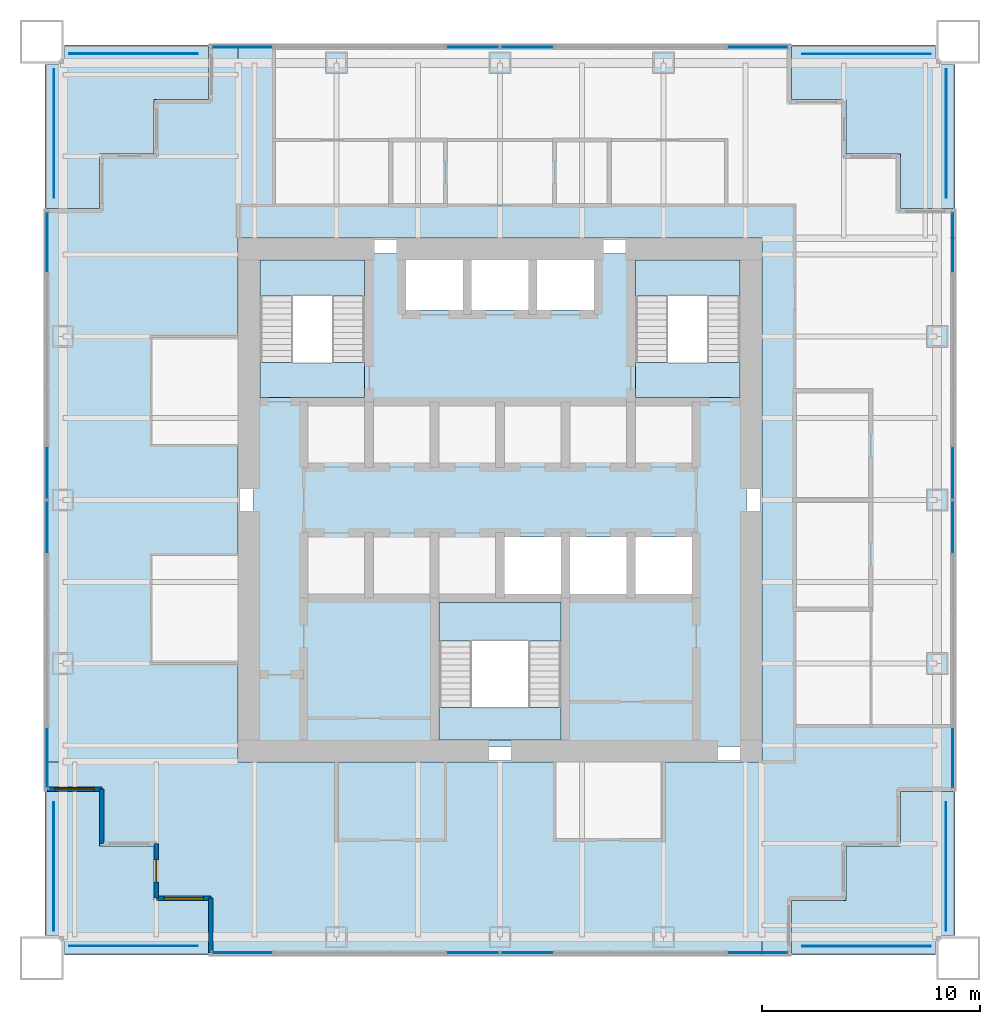
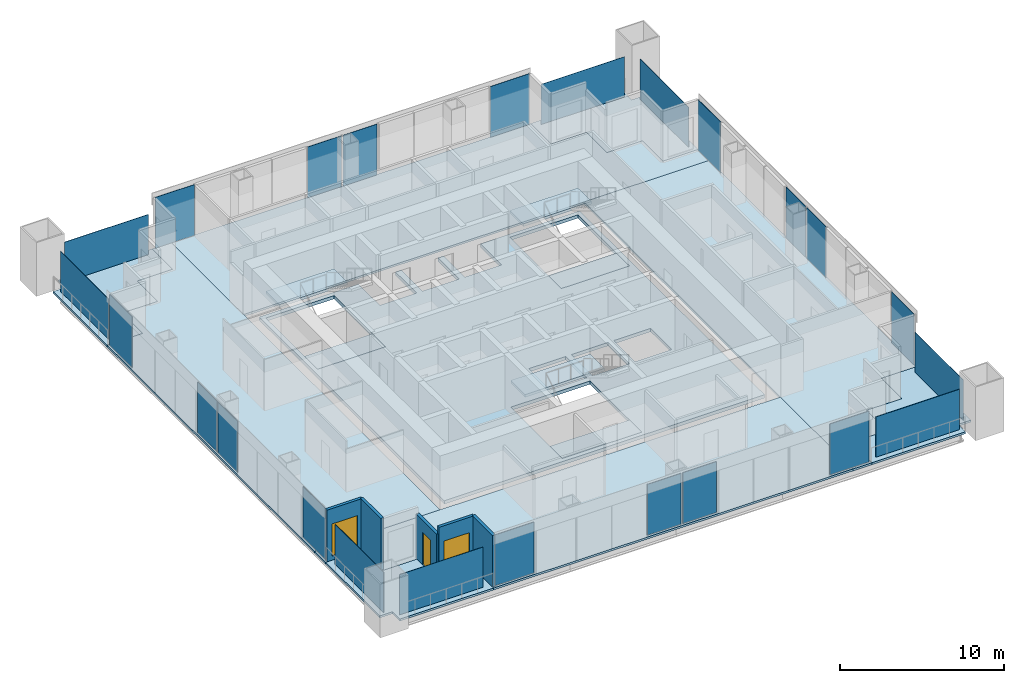
# One storey, part 8 of 14: 24 plates, 15 slabs, 5 walls, 2 windows, 1 door, 3 openings, 19 elements without a shape of their own.
"""IFC4 building model written with IfcOpenShell, lengths in metres."""

from ifc_helpers import new_model, si_unit, direction, frame, frame_2d, origin, origin_2d, place, context, subcontext, project, spatial, polyline, rectangle, outline, extrude, material, layer, layer_set, type_object, element, fill, aggregate, save


model = new_model("IFC4")

# Units and contexts
model_context = context("Model", 3, precision=1e-05, world=origin(), true_north=direction((0.0, 1.0)))
body_context = subcontext(model_context, "Body", "Model", "MODEL_VIEW")
ifc_project = project(units=[si_unit("LENGTHUNIT", "METRE"), si_unit("AREAUNIT", "SQUARE_METRE"), si_unit("VOLUMEUNIT", "CUBIC_METRE"), si_unit("PLANEANGLEUNIT", "RADIAN"), si_unit("MASSUNIT", "GRAM", prefix="KILO")], contexts=[model_context])

# Site, building, storey
site_placement = place(None, origin())
site = spatial("IfcSite", under=ifc_project, at=site_placement, CompositionType="ELEMENT")
building_placement = place(site_placement, origin())
building = spatial("IfcBuilding", under=site, at=building_placement, Name="Tarangal Relay Tower", CompositionType="ELEMENT")
storey_placement = place(building_placement, frame((0.0, 0.0, 319.89990234375)))
storey = spatial("IfcBuildingStorey", under=building, at=storey_placement, Name="L71", CompositionType="ELEMENT", Elevation=319.89990234375)

# Slabs
ifc_material_1 = material(Name="Concrete fc' 35 MPa", Category="concrete")
ifc_layer_1 = layer(ifc_material_1, 0.25)
ifc_layer_set_1 = layer_set([ifc_layer_1], Name="Core floor slab 250")
slab_type_1 = type_object("IfcSlabType", Name="Core floor slab 250", PredefinedType="FLOOR", material=ifc_layer_set_1)
slab_1_placement = place(storey_placement, frame((0.0, 0.0, -0.25)))
element("IfcSlab", 1, at=slab_1_placement, inside=storey, type_object=slab_type_1, Name="Core floor slab L71", PredefinedType="FLOOR", context=body_context, shape_type="SweptSolid", body=[
    extrude(outline(polyline([(11.300048828125, 11.300048828125), (11.300048828125, -11.300048828125), (-11.300048828125, -11.300048828125), (-11.300048828125, 11.300048828125), (-4.300048828125, 11.300048828125), (-4.300048828125, 8.699951171875), (-1.699951171875, 8.699951171875), (-1.699951171875, 11.300048828125), (-1.300048828125, 11.300048828125), (-1.300048828125, 8.699951171875), (1.300048828125, 8.699951171875), (1.300048828125, 11.300048828125), (1.699951171875, 11.300048828125), (1.699951171875, 8.699951171875), (4.300048828125, 8.699951171875), (4.300048828125, 11.300048828125), (11.300048828125, 11.300048828125)]), holes=[polyline([(2.800048828125, -4.699951171875), (-2.800048828125, -4.699951171875), (-2.800048828125, -11.0), (2.800048828125, -11.0), (2.800048828125, -4.699951171875)]), polyline([(2.800048828125, -1.699951171875), (0.199951171875, -1.699951171875), (0.199951171875, -4.300048828125), (2.800048828125, -4.300048828125), (2.800048828125, -1.699951171875)]), polyline([(5.800048828125, -1.699951171875), (3.199951171875, -1.699951171875), (3.199951171875, -4.300048828125), (5.800048828125, -4.300048828125), (5.800048828125, -1.699951171875)]), polyline([(8.800048828125, -1.699951171875), (6.199951171875, -1.699951171875), (6.199951171875, -4.300048828125), (8.800048828125, -4.300048828125), (8.800048828125, -1.699951171875)]), polyline([(-6.199951171875, 11.0), (-11.0, 11.0), (-11.0, 4.699951171875), (-6.199951171875, 4.699951171875), (-6.199951171875, 11.0)]), polyline([(11.0, 11.0), (6.199951171875, 11.0), (6.199951171875, 4.699951171875), (11.0, 4.699951171875), (11.0, 11.0)])]), origin(), (0.0, 0.0, 1.0), 0.25),
])
ifc_layer_2 = layer(ifc_material_1, 0.14990234375)
ifc_layer_set_2 = layer_set([ifc_layer_2], Name="Floor slab 150")
slab_type_2 = type_object("IfcSlabType", Name="Floor slab 150", PredefinedType="FLOOR", material=ifc_layer_set_2)
slab_2_placement = place(storey_placement, frame((0.0, 0.0, -0.14990234375)))
element("IfcSlab", 2, at=slab_2_placement, inside=storey, type_object=slab_type_2, Name="Floor slab FS3 L71 north bay", PredefinedType="FLOOR", context=body_context, shape_type="SweptSolid", body=[
    extrude(outline(polyline([(13.35009765625, 20.85009765625), (13.35009765625, 18.35009765625), (15.85009765625, 18.35009765625), (15.85009765625, 15.85009765625), (18.35009765625, 15.85009765625), (18.35009765625, 13.35009765625), (20.85009765625, 13.35009765625), (20.85009765625, 12.0), (-12.0, 12.0), (-12.0, 20.85009765625), (13.35009765625, 20.85009765625)])), origin(), (0.0, 0.0, 1.0), 0.14990234375),
])
slab_3_placement = place(storey_placement, frame((0.0, 0.0, -0.14990234375)))
element("IfcSlab", 3, at=slab_3_placement, inside=storey, type_object=slab_type_2, Name="Floor slab FS3 L71 east bay", PredefinedType="FLOOR", context=body_context, shape_type="SweptSolid", body=[
    extrude(outline(polyline([(20.85009765625, -13.35009765625), (18.35009765625, -13.35009765625), (18.35009765625, -15.85009765625), (15.85009765625, -15.85009765625), (15.85009765625, -18.35009765625), (13.35009765625, -18.35009765625), (13.35009765625, -20.85009765625), (12.0, -20.85009765625), (12.0, 12.0), (20.85009765625, 12.0), (20.85009765625, -13.35009765625)])), origin(), (0.0, 0.0, 1.0), 0.14990234375),
])
slab_4_placement = place(storey_placement, frame((0.0, 0.0, -0.14990234375)))
element("IfcSlab", 4, at=slab_4_placement, inside=storey, type_object=slab_type_2, Name="Floor slab FS3 L71 south bay", PredefinedType="FLOOR", context=body_context, shape_type="SweptSolid", body=[
    extrude(outline(polyline([(-13.35009765625, -20.85009765625), (-13.35009765625, -18.35009765625), (-15.85009765625, -18.35009765625), (-15.85009765625, -15.85009765625), (-18.35009765625, -15.85009765625), (-18.35009765625, -13.35009765625), (-20.85009765625, -13.35009765625), (-20.85009765625, -12.0), (12.0, -12.0), (12.0, -20.85009765625), (-13.35009765625, -20.85009765625)])), origin(), (0.0, 0.0, 1.0), 0.14990234375),
])
slab_5_placement = place(storey_placement, frame((0.0, 0.0, -0.14990234375)))
element("IfcSlab", 5, at=slab_5_placement, inside=storey, type_object=slab_type_2, Name="Floor slab FS3 L71 west bay", PredefinedType="FLOOR", context=body_context, shape_type="SweptSolid", body=[
    extrude(outline(polyline([(-12.0, 20.85009765625), (-12.0, -12.0), (-20.85009765625, -12.0), (-20.85009765625, 13.35009765625), (-18.35009765625, 13.35009765625), (-18.35009765625, 15.85009765625), (-15.85009765625, 15.85009765625), (-15.85009765625, 18.35009765625), (-13.35009765625, 18.35009765625), (-13.35009765625, 20.85009765625), (-12.0, 20.85009765625)])), origin(), (0.0, 0.0, 1.0), 0.14990234375),
])

# Curtain wall, plate
ifc_material_2 = material(Name="Unitised curtain wall, dark glass and black aluminium", Category="aluminium")
curtain_wall_type = type_object("IfcCurtainWallType", Name="Curtain wall CW-B", PredefinedType="USERDEFINED", material=ifc_material_2)
curtain_wall_1_placement = place(storey_placement, origin())
curtain_wall_1 = element("IfcCurtainWall", 6, at=curtain_wall_1_placement, inside=storey, type_object=curtain_wall_type, Name="Curtain wall CW-B N facade L71", ObjectType="UNITISED CURTAIN WALL", PredefinedType="USERDEFINED")
ifc_material_3 = material(Name="Dark tinted insulated glass unit", Category="glass")
ifc_layer_3 = layer(ifc_material_3, 0.030029296875)
ifc_layer_set_3 = layer_set([ifc_layer_3], Name="Glazed panel CW-B 30")
plate_type_1 = type_object("IfcPlateType", Name="Glazed panel CW-B 30", PredefinedType="CURTAIN_PANEL", material=ifc_layer_set_3)
plate_1_placement = place(storey_placement, frame((-11.8125, 20.75, 0.06005859375), z_axis=(0.0, 0.0, 1.0), x_axis=(1.0, 0.0, 0.0)))
plate_1 = element("IfcPlate", 7, at=plate_1_placement, type_object=plate_type_1, Name="CW-B panel 1.1", PredefinedType="CURTAIN_PANEL", context=body_context, shape_type="SweptSolid", body=[
    extrude(rectangle(XDim=2.7548828125, YDim=0.030029296875, at=origin_2d()), origin(), (0.0, 0.0, 1.0), 3.7900390625),
])
aggregate(curtain_wall_1, [plate_1])

curtain_wall_2_placement = place(storey_placement, origin())
curtain_wall_2 = element("IfcCurtainWall", 8, at=curtain_wall_2_placement, inside=storey, type_object=curtain_wall_type, Name="Curtain wall CW-B N facade L71", ObjectType="UNITISED CURTAIN WALL", PredefinedType="USERDEFINED")
plate_2_placement = place(storey_placement, frame((-1.25, 20.75, 0.06005859375), z_axis=(0.0, 0.0, 1.0), x_axis=(1.0, 0.0, 0.0)))
plate_2 = element("IfcPlate", 9, at=plate_2_placement, type_object=plate_type_1, Name="CW-B panel 1.1", PredefinedType="CURTAIN_PANEL", context=body_context, shape_type="SweptSolid", body=[
    extrude(rectangle(XDim=2.3798828125, YDim=0.030029296875, at=origin_2d()), origin(), (0.0, 0.0, 1.0), 3.7900390625),
])
aggregate(curtain_wall_2, [plate_2])

curtain_wall_3_placement = place(storey_placement, origin())
curtain_wall_3 = element("IfcCurtainWall", 10, at=curtain_wall_3_placement, inside=storey, type_object=curtain_wall_type, Name="Curtain wall CW-B N facade L71", ObjectType="UNITISED CURTAIN WALL", PredefinedType="USERDEFINED")
plate_3_placement = place(storey_placement, frame((1.25, 20.75, 0.06005859375), z_axis=(0.0, 0.0, 1.0), x_axis=(1.0, 0.0, 0.0)))
plate_3 = element("IfcPlate", 11, at=plate_3_placement, type_object=plate_type_1, Name="CW-B panel 1.1", PredefinedType="CURTAIN_PANEL", context=body_context, shape_type="SweptSolid", body=[
    extrude(rectangle(XDim=2.3798828125, YDim=0.030029296875, at=origin_2d()), origin(), (0.0, 0.0, 1.0), 3.7900390625),
])
aggregate(curtain_wall_3, [plate_3])

curtain_wall_4_placement = place(storey_placement, origin())
curtain_wall_4 = element("IfcCurtainWall", 12, at=curtain_wall_4_placement, inside=storey, type_object=curtain_wall_type, Name="Curtain wall CW-B N facade L71", ObjectType="UNITISED CURTAIN WALL", PredefinedType="USERDEFINED")
plate_4_placement = place(storey_placement, frame((11.8125, 20.75, 0.06005859375), z_axis=(0.0, 0.0, 1.0), x_axis=(1.0, 0.0, 0.0)))
plate_4 = element("IfcPlate", 13, at=plate_4_placement, type_object=plate_type_1, Name="CW-B panel 1.1", PredefinedType="CURTAIN_PANEL", context=body_context, shape_type="SweptSolid", body=[
    extrude(rectangle(XDim=2.7548828125, YDim=0.030029296875, at=origin_2d()), origin(), (0.0, 0.0, 1.0), 3.7900390625),
])
aggregate(curtain_wall_4, [plate_4])

curtain_wall_5_placement = place(storey_placement, origin())
curtain_wall_5 = element("IfcCurtainWall", 14, at=curtain_wall_5_placement, inside=storey, type_object=curtain_wall_type, Name="Curtain wall CW-B E facade L71", ObjectType="UNITISED CURTAIN WALL", PredefinedType="USERDEFINED")
plate_5_placement = place(storey_placement, frame((20.75, 11.8125, 0.06005859375), z_axis=(0.0, 0.0, 1.0), x_axis=(0.0, -1.0, 0.0)))
plate_5 = element("IfcPlate", 15, at=plate_5_placement, type_object=plate_type_1, Name="CW-B panel 1.1", PredefinedType="CURTAIN_PANEL", context=body_context, shape_type="SweptSolid", body=[
    extrude(rectangle(XDim=2.7548828125, YDim=0.030029296875, at=origin_2d()), origin(), (0.0, 0.0, 1.0), 3.7900390625),
])
aggregate(curtain_wall_5, [plate_5])

curtain_wall_6_placement = place(storey_placement, origin())
curtain_wall_6 = element("IfcCurtainWall", 16, at=curtain_wall_6_placement, inside=storey, type_object=curtain_wall_type, Name="Curtain wall CW-B E facade L71", ObjectType="UNITISED CURTAIN WALL", PredefinedType="USERDEFINED")
plate_6_placement = place(storey_placement, frame((20.75, 1.25, 0.06005859375), z_axis=(0.0, 0.0, 1.0), x_axis=(0.0, -1.0, 0.0)))
plate_6 = element("IfcPlate", 17, at=plate_6_placement, type_object=plate_type_1, Name="CW-B panel 1.1", PredefinedType="CURTAIN_PANEL", context=body_context, shape_type="SweptSolid", body=[
    extrude(rectangle(XDim=2.3798828125, YDim=0.030029296875, at=origin_2d()), origin(), (0.0, 0.0, 1.0), 3.7900390625),
])
aggregate(curtain_wall_6, [plate_6])

curtain_wall_7_placement = place(storey_placement, origin())
curtain_wall_7 = element("IfcCurtainWall", 18, at=curtain_wall_7_placement, inside=storey, type_object=curtain_wall_type, Name="Curtain wall CW-B E facade L71", ObjectType="UNITISED CURTAIN WALL", PredefinedType="USERDEFINED")
plate_7_placement = place(storey_placement, frame((20.75, -1.25, 0.06005859375), z_axis=(0.0, 0.0, 1.0), x_axis=(0.0, -1.0, 0.0)))
plate_7 = element("IfcPlate", 19, at=plate_7_placement, type_object=plate_type_1, Name="CW-B panel 1.1", PredefinedType="CURTAIN_PANEL", context=body_context, shape_type="SweptSolid", body=[
    extrude(rectangle(XDim=2.3798828125, YDim=0.030029296875, at=origin_2d()), origin(), (0.0, 0.0, 1.0), 3.7900390625),
])
aggregate(curtain_wall_7, [plate_7])

curtain_wall_8_placement = place(storey_placement, origin())
curtain_wall_8 = element("IfcCurtainWall", 20, at=curtain_wall_8_placement, inside=storey, type_object=curtain_wall_type, Name="Curtain wall CW-B E facade L71", ObjectType="UNITISED CURTAIN WALL", PredefinedType="USERDEFINED")
plate_8_placement = place(storey_placement, frame((20.75, -11.8125, 0.06005859375), z_axis=(0.0, 0.0, 1.0), x_axis=(0.0, -1.0, 0.0)))
plate_8 = element("IfcPlate", 21, at=plate_8_placement, type_object=plate_type_1, Name="CW-B panel 1.1", PredefinedType="CURTAIN_PANEL", context=body_context, shape_type="SweptSolid", body=[
    extrude(rectangle(XDim=2.7548828125, YDim=0.030029296875, at=origin_2d()), origin(), (0.0, 0.0, 1.0), 3.7900390625),
])
aggregate(curtain_wall_8, [plate_8])

curtain_wall_9_placement = place(storey_placement, origin())
curtain_wall_9 = element("IfcCurtainWall", 22, at=curtain_wall_9_placement, inside=storey, type_object=curtain_wall_type, Name="Curtain wall CW-B S facade L71", ObjectType="UNITISED CURTAIN WALL", PredefinedType="USERDEFINED")
plate_9_placement = place(storey_placement, frame((11.8125, -20.75, 0.06005859375), z_axis=(0.0, 0.0, 1.0), x_axis=(-1.0, 0.0, 0.0)))
plate_9 = element("IfcPlate", 23, at=plate_9_placement, type_object=plate_type_1, Name="CW-B panel 1.1", PredefinedType="CURTAIN_PANEL", context=body_context, shape_type="SweptSolid", body=[
    extrude(rectangle(XDim=2.7548828125, YDim=0.030029296875, at=origin_2d()), origin(), (0.0, 0.0, 1.0), 3.7900390625),
])
aggregate(curtain_wall_9, [plate_9])

curtain_wall_10_placement = place(storey_placement, origin())
curtain_wall_10 = element("IfcCurtainWall", 24, at=curtain_wall_10_placement, inside=storey, type_object=curtain_wall_type, Name="Curtain wall CW-B S facade L71", ObjectType="UNITISED CURTAIN WALL", PredefinedType="USERDEFINED")
plate_10_placement = place(storey_placement, frame((1.25, -20.75, 0.06005859375), z_axis=(0.0, 0.0, 1.0), x_axis=(-1.0, 0.0, 0.0)))
plate_10 = element("IfcPlate", 25, at=plate_10_placement, type_object=plate_type_1, Name="CW-B panel 1.1", PredefinedType="CURTAIN_PANEL", context=body_context, shape_type="SweptSolid", body=[
    extrude(rectangle(XDim=2.3798828125, YDim=0.030029296875, at=origin_2d()), origin(), (0.0, 0.0, 1.0), 3.7900390625),
])
aggregate(curtain_wall_10, [plate_10])

curtain_wall_11_placement = place(storey_placement, origin())
curtain_wall_11 = element("IfcCurtainWall", 26, at=curtain_wall_11_placement, inside=storey, type_object=curtain_wall_type, Name="Curtain wall CW-B S facade L71", ObjectType="UNITISED CURTAIN WALL", PredefinedType="USERDEFINED")
plate_11_placement = place(storey_placement, frame((-1.25, -20.75, 0.06005859375), z_axis=(0.0, 0.0, 1.0), x_axis=(-1.0, 0.0, 0.0)))
plate_11 = element("IfcPlate", 27, at=plate_11_placement, type_object=plate_type_1, Name="CW-B panel 1.1", PredefinedType="CURTAIN_PANEL", context=body_context, shape_type="SweptSolid", body=[
    extrude(rectangle(XDim=2.3798828125, YDim=0.030029296875, at=origin_2d()), origin(), (0.0, 0.0, 1.0), 3.7900390625),
])
aggregate(curtain_wall_11, [plate_11])

curtain_wall_12_placement = place(storey_placement, origin())
curtain_wall_12 = element("IfcCurtainWall", 28, at=curtain_wall_12_placement, inside=storey, type_object=curtain_wall_type, Name="Curtain wall CW-B S facade L71", ObjectType="UNITISED CURTAIN WALL", PredefinedType="USERDEFINED")
plate_12_placement = place(storey_placement, frame((-11.8125, -20.75, 0.06005859375), z_axis=(0.0, 0.0, 1.0), x_axis=(-1.0, 0.0, 0.0)))
plate_12 = element("IfcPlate", 29, at=plate_12_placement, type_object=plate_type_1, Name="CW-B panel 1.1", PredefinedType="CURTAIN_PANEL", context=body_context, shape_type="SweptSolid", body=[
    extrude(rectangle(XDim=2.7548828125, YDim=0.030029296875, at=origin_2d()), origin(), (0.0, 0.0, 1.0), 3.7900390625),
])
aggregate(curtain_wall_12, [plate_12])

curtain_wall_13_placement = place(storey_placement, origin())
curtain_wall_13 = element("IfcCurtainWall", 30, at=curtain_wall_13_placement, inside=storey, type_object=curtain_wall_type, Name="Curtain wall CW-B W facade L71", ObjectType="UNITISED CURTAIN WALL", PredefinedType="USERDEFINED")
plate_13_placement = place(storey_placement, frame((-20.75, -11.8125, 0.06005859375), z_axis=(0.0, 0.0, 1.0), x_axis=(0.0, 1.0, 0.0)))
plate_13 = element("IfcPlate", 31, at=plate_13_placement, type_object=plate_type_1, Name="CW-B panel 1.1", PredefinedType="CURTAIN_PANEL", context=body_context, shape_type="SweptSolid", body=[
    extrude(rectangle(XDim=2.7548828125, YDim=0.030029296875, at=origin_2d()), origin(), (0.0, 0.0, 1.0), 3.7900390625),
])
aggregate(curtain_wall_13, [plate_13])

curtain_wall_14_placement = place(storey_placement, origin())
curtain_wall_14 = element("IfcCurtainWall", 32, at=curtain_wall_14_placement, inside=storey, type_object=curtain_wall_type, Name="Curtain wall CW-B W facade L71", ObjectType="UNITISED CURTAIN WALL", PredefinedType="USERDEFINED")
plate_14_placement = place(storey_placement, frame((-20.75, -1.25, 0.06005859375), z_axis=(0.0, 0.0, 1.0), x_axis=(0.0, 1.0, 0.0)))
plate_14 = element("IfcPlate", 33, at=plate_14_placement, type_object=plate_type_1, Name="CW-B panel 1.1", PredefinedType="CURTAIN_PANEL", context=body_context, shape_type="SweptSolid", body=[
    extrude(rectangle(XDim=2.3798828125, YDim=0.030029296875, at=origin_2d()), origin(), (0.0, 0.0, 1.0), 3.7900390625),
])
aggregate(curtain_wall_14, [plate_14])

curtain_wall_15_placement = place(storey_placement, origin())
curtain_wall_15 = element("IfcCurtainWall", 34, at=curtain_wall_15_placement, inside=storey, type_object=curtain_wall_type, Name="Curtain wall CW-B W facade L71", ObjectType="UNITISED CURTAIN WALL", PredefinedType="USERDEFINED")
plate_15_placement = place(storey_placement, frame((-20.75, 1.25, 0.06005859375), z_axis=(0.0, 0.0, 1.0), x_axis=(0.0, 1.0, 0.0)))
plate_15 = element("IfcPlate", 35, at=plate_15_placement, type_object=plate_type_1, Name="CW-B panel 1.1", PredefinedType="CURTAIN_PANEL", context=body_context, shape_type="SweptSolid", body=[
    extrude(rectangle(XDim=2.3798828125, YDim=0.030029296875, at=origin_2d()), origin(), (0.0, 0.0, 1.0), 3.7900390625),
])
aggregate(curtain_wall_15, [plate_15])

curtain_wall_16_placement = place(storey_placement, origin())
curtain_wall_16 = element("IfcCurtainWall", 36, at=curtain_wall_16_placement, inside=storey, type_object=curtain_wall_type, Name="Curtain wall CW-B W facade L71", ObjectType="UNITISED CURTAIN WALL", PredefinedType="USERDEFINED")
plate_16_placement = place(storey_placement, frame((-20.75, 11.8125, 0.06005859375), z_axis=(0.0, 0.0, 1.0), x_axis=(0.0, 1.0, 0.0)))
plate_16 = element("IfcPlate", 37, at=plate_16_placement, type_object=plate_type_1, Name="CW-B panel 1.1", PredefinedType="CURTAIN_PANEL", context=body_context, shape_type="SweptSolid", body=[
    extrude(rectangle(XDim=2.7548828125, YDim=0.030029296875, at=origin_2d()), origin(), (0.0, 0.0, 1.0), 3.7900390625),
])
aggregate(curtain_wall_16, [plate_16])

# Plates
ifc_material_4 = material(Name="Black stainless steel cable trellis with climbing planting", Category="steel")
ifc_layer_4 = layer(ifc_material_4, 0.030029296875)
ifc_layer_set_4 = layer_set([ifc_layer_4], Name="Planted trellis screen")
plate_type_2 = type_object("IfcPlateType", Name="Planted trellis screen", PredefinedType="SHEET", material=ifc_layer_set_4)
for number, where, z_axis, x_axis, name in (
    (38, (20.449951171875, 16.800048828125, 0.0), (0.0, 0.0, 1.0), (0.0, -1.0, 0.0), "Planted trellis SC2 NE L71"),
    (39, (16.800048828125, -20.449951171875, 0.0), (0.0, 0.0, 1.0), (-1.0, 0.0, 0.0), "Planted trellis SC2 SE L71"),
    (40, (-20.449951171875, -16.800048828125, 0.0), (0.0, 0.0, 1.0), (0.0, 1.0, 0.0), "Planted trellis SC2 SW L71"),
    (41, (-16.800048828125, 20.449951171875, 0.0), (0.0, 0.0, 1.0), (1.0, 0.0, 0.0), "Planted trellis SC2 NW L71"),
):
    element("IfcPlate", number, at=place(storey_placement, frame(where, z_axis=z_axis, x_axis=x_axis)), inside=storey, type_object=plate_type_2, Name=name, PredefinedType="SHEET", context=body_context, shape_type="SweptSolid", body=[
        extrude(rectangle(XDim=5.89990234375, YDim=0.030029296875, at=origin_2d()), origin(), (0.0, 0.0, 1.0), 3.0),
    ])

# Stair, slabs
ifc_material_5 = material(Name="Steel ASTM A992 stair flight", Category="steel")
stair_type = type_object("IfcStairType", Name="Core stair 1500", PredefinedType="HALF_TURN_STAIR", material=ifc_material_5)
stair_1_placement = place(storey_placement, origin())
stair_1 = element("IfcStair", 42, at=stair_1_placement, inside=storey, type_object=stair_type, Name="Stair ST-A L71", PredefinedType="HALF_TURN_STAIR")
ifc_layer_5 = layer(ifc_material_1, 0.199951171875)
ifc_layer_set_5 = layer_set([ifc_layer_5], Name="Stair landing 200")
slab_type_3 = type_object("IfcSlabType", Name="Stair landing 200", PredefinedType="LANDING", material=ifc_layer_set_5)
slab_6_placement = place(storey_placement, frame((0.0, 0.0, -0.199951171875)))
slab_6 = element("IfcSlab", 43, at=slab_6_placement, type_object=slab_type_3, Name="ST-A landing 1", PredefinedType="LANDING", context=body_context, shape_type="SweptSolid", body=[
    extrude(outline(polyline([(-11.0, 4.699951171875), (-6.199951171875, 4.699951171875), (-6.199951171875, 6.300048828125), (-11.0, 6.300048828125), (-11.0, 4.699951171875)])), origin(), (0.0, 0.0, 1.0), 0.199951171875),
])
slab_7_placement = place(storey_placement, frame((0.0, 0.0, 1.800048828125)))
slab_7 = element("IfcSlab", 44, at=slab_7_placement, type_object=slab_type_3, Name="ST-A landing 2", PredefinedType="LANDING", context=body_context, shape_type="SweptSolid", body=[
    extrude(outline(polyline([(-11.0, 9.346923828125), (-6.199951171875, 9.346923828125), (-6.199951171875, 11.0), (-11.0, 11.0), (-11.0, 9.346923828125)])), origin(), (0.0, 0.0, 1.0), 0.199951171875),
])
aggregate(stair_1, [slab_6, slab_7])

stair_2_placement = place(storey_placement, origin())
stair_2 = element("IfcStair", 45, at=stair_2_placement, inside=storey, type_object=stair_type, Name="Stair ST-B L71", PredefinedType="HALF_TURN_STAIR")
slab_8_placement = place(storey_placement, frame((0.0, 0.0, -0.199951171875)))
slab_8 = element("IfcSlab", 46, at=slab_8_placement, type_object=slab_type_3, Name="ST-B landing 1", PredefinedType="LANDING", context=body_context, shape_type="SweptSolid", body=[
    extrude(outline(polyline([(6.199951171875, 4.699951171875), (11.0, 4.699951171875), (11.0, 6.300048828125), (6.199951171875, 6.300048828125), (6.199951171875, 4.699951171875)])), origin(), (0.0, 0.0, 1.0), 0.199951171875),
])
slab_9_placement = place(storey_placement, frame((0.0, 0.0, 1.800048828125)))
slab_9 = element("IfcSlab", 47, at=slab_9_placement, type_object=slab_type_3, Name="ST-B landing 2", PredefinedType="LANDING", context=body_context, shape_type="SweptSolid", body=[
    extrude(outline(polyline([(6.199951171875, 9.346923828125), (11.0, 9.346923828125), (11.0, 11.0), (6.199951171875, 11.0), (6.199951171875, 9.346923828125)])), origin(), (0.0, 0.0, 1.0), 0.199951171875),
])
aggregate(stair_2, [slab_8, slab_9])

stair_3_placement = place(storey_placement, origin())
stair_3 = element("IfcStair", 48, at=stair_3_placement, inside=storey, type_object=stair_type, Name="Stair ST-C L71", PredefinedType="HALF_TURN_STAIR")
slab_10_placement = place(storey_placement, frame((0.0, 0.0, -0.199951171875)))
slab_10 = element("IfcSlab", 49, at=slab_10_placement, type_object=slab_type_3, Name="ST-C landing 1", PredefinedType="LANDING", context=body_context, shape_type="SweptSolid", body=[
    extrude(outline(polyline([(-2.800048828125, -11.0), (2.800048828125, -11.0), (2.800048828125, -9.5), (-2.800048828125, -9.5), (-2.800048828125, -11.0)])), origin(), (0.0, 0.0, 1.0), 0.199951171875),
])
slab_11_placement = place(storey_placement, frame((0.0, 0.0, 1.800048828125)))
slab_11 = element("IfcSlab", 50, at=slab_11_placement, type_object=slab_type_3, Name="ST-C landing 2", PredefinedType="LANDING", context=body_context, shape_type="SweptSolid", body=[
    extrude(outline(polyline([(-2.800048828125, -6.452880859375), (2.800048828125, -6.452880859375), (2.800048828125, -4.699951171875), (-2.800048828125, -4.699951171875), (-2.800048828125, -6.452880859375)])), origin(), (0.0, 0.0, 1.0), 0.199951171875),
])
aggregate(stair_3, [slab_10, slab_11])

# Plates
ifc_material_6 = material(Name="Perforated black aluminium screen", Category="aluminium")
ifc_layer_6 = layer(ifc_material_6, 0.02001953125)
ifc_layer_set_6 = layer_set([ifc_layer_6], Name="Terrace screen panel")
plate_type_3 = type_object("IfcPlateType", Name="Terrace screen panel", PredefinedType="SHEET", material=ifc_layer_set_6)
for number, where, z_axis, x_axis, name in (
    (51, (16.800048828125, 20.449951171875, 0.0), (0.0, 0.0, 1.0), (1.0, 0.0, 0.0), "Terrace screen SC1 NE L71"),
    (52, (20.449951171875, -16.800048828125, 0.0), (0.0, 0.0, 1.0), (0.0, -1.0, 0.0), "Terrace screen SC1 SE L71"),
    (53, (-16.800048828125, -20.449951171875, 0.0), (0.0, 0.0, 1.0), (-1.0, 0.0, 0.0), "Terrace screen SC1 SW L71"),
    (54, (-20.449951171875, 16.800048828125, 0.0), (0.0, 0.0, 1.0), (0.0, 1.0, 0.0), "Terrace screen SC1 NW L71"),
):
    element("IfcPlate", number, at=place(storey_placement, frame(where, z_axis=z_axis, x_axis=x_axis)), inside=storey, type_object=plate_type_3, Name=name, PredefinedType="SHEET", context=body_context, shape_type="SweptSolid", body=[
        extrude(rectangle(XDim=5.89990234375, YDim=0.02001953125, at=origin_2d()), origin(), (0.0, 0.0, 1.0), 3.0),
    ])

# Slabs
ifc_layer_7 = layer(ifc_material_1, 0.14990234375)
ifc_layer_set_7 = layer_set([ifc_layer_7], Name="Terrace slab 150")
slab_type_4 = type_object("IfcSlabType", Name="Terrace slab 150", PredefinedType="FLOOR", material=ifc_layer_set_7)
slab_12_placement = place(storey_placement, frame((0.0, 0.0, -0.14990234375)))
element("IfcSlab", 55, at=slab_12_placement, inside=storey, type_object=slab_type_4, Name="Corner terrace NE L71", PredefinedType="FLOOR", context=body_context, shape_type="SweptSolid", body=[
    extrude(outline(polyline([(13.35009765625, 20.85009765625), (13.35009765625, 18.35009765625), (15.85009765625, 18.35009765625), (15.85009765625, 15.85009765625), (18.35009765625, 15.85009765625), (18.35009765625, 13.35009765625), (20.85009765625, 13.35009765625), (20.85009765625, 19.949951171875), (19.949951171875, 19.949951171875), (19.949951171875, 20.85009765625), (13.35009765625, 20.85009765625)])), origin(), (0.0, 0.0, 1.0), 0.14990234375),
])
slab_13_placement = place(storey_placement, frame((0.0, 0.0, -0.14990234375)))
element("IfcSlab", 56, at=slab_13_placement, inside=storey, type_object=slab_type_4, Name="Corner terrace SE L71", PredefinedType="FLOOR", context=body_context, shape_type="SweptSolid", body=[
    extrude(outline(polyline([(20.85009765625, -13.35009765625), (18.35009765625, -13.35009765625), (18.35009765625, -15.85009765625), (15.85009765625, -15.85009765625), (15.85009765625, -18.35009765625), (13.35009765625, -18.35009765625), (13.35009765625, -20.85009765625), (19.949951171875, -20.85009765625), (19.949951171875, -19.949951171875), (20.85009765625, -19.949951171875), (20.85009765625, -13.35009765625)])), origin(), (0.0, 0.0, 1.0), 0.14990234375),
])
slab_14_placement = place(storey_placement, frame((0.0, 0.0, -0.14990234375)))
element("IfcSlab", 57, at=slab_14_placement, inside=storey, type_object=slab_type_4, Name="Corner terrace SW L71", PredefinedType="FLOOR", context=body_context, shape_type="SweptSolid", body=[
    extrude(outline(polyline([(-13.35009765625, -20.85009765625), (-13.35009765625, -18.35009765625), (-15.85009765625, -18.35009765625), (-15.85009765625, -15.85009765625), (-18.35009765625, -15.85009765625), (-18.35009765625, -13.35009765625), (-20.85009765625, -13.35009765625), (-20.85009765625, -19.949951171875), (-19.949951171875, -19.949951171875), (-19.949951171875, -20.85009765625), (-13.35009765625, -20.85009765625)])), origin(), (0.0, 0.0, 1.0), 0.14990234375),
])
slab_15_placement = place(storey_placement, frame((0.0, 0.0, -0.14990234375)))
element("IfcSlab", 58, at=slab_15_placement, inside=storey, type_object=slab_type_4, Name="Corner terrace NW L71", PredefinedType="FLOOR", context=body_context, shape_type="SweptSolid", body=[
    extrude(outline(polyline([(-20.85009765625, 13.35009765625), (-18.35009765625, 13.35009765625), (-18.35009765625, 15.85009765625), (-15.85009765625, 15.85009765625), (-15.85009765625, 18.35009765625), (-13.35009765625, 18.35009765625), (-13.35009765625, 20.85009765625), (-19.949951171875, 20.85009765625), (-19.949951171875, 19.949951171875), (-20.85009765625, 19.949951171875), (-20.85009765625, 13.35009765625)])), origin(), (0.0, 0.0, 1.0), 0.14990234375),
])

# Wall
ifc_material_7 = material(Name="Black metal clad insulated wall", Category="steel")
ifc_layer_8 = layer(ifc_material_7, 0.199951171875)
ifc_layer_set_8 = layer_set([ifc_layer_8], Name="Corner wall metal clad 200")
wall_type = type_object("IfcWallType", Name="Corner wall metal clad 200", PredefinedType="SOLIDWALL", material=ifc_layer_set_8)
wall_1_placement = place(storey_placement, frame((-13.25, -20.75, 0.0), z_axis=(0.0, 0.0, 1.0), x_axis=(0.0, 1.0, 0.0)))
element("IfcWall", 59, at=wall_1_placement, inside=storey, type_object=wall_type, Name="Facade wall S facade L71", PredefinedType="SOLIDWALL", context=body_context, shape_type="SweptSolid", body=[
    extrude(rectangle(XDim=2.5, YDim=0.199951171875, at=frame_2d((1.25, 0.0))), origin(), (0.0, 0.0, 1.0), 3.85009765625),
])

# Wall, opening, window
wall_2_placement = place(storey_placement, frame((-13.25, -18.25, 0.0), z_axis=(0.0, 0.0, 1.0), x_axis=(-1.0, 0.0, 0.0)))
wall_2 = element("IfcWall", 60, at=wall_2_placement, inside=storey, type_object=wall_type, Name="Facade wall S facade L71", PredefinedType="SOLIDWALL", context=body_context, shape_type="SweptSolid", body=[
    extrude(rectangle(XDim=2.5, YDim=0.199951171875, at=frame_2d((1.25, 0.0))), origin(), (0.0, 0.0, 1.0), 3.85009765625),
])
opening_1_placement = place(wall_2_placement, frame((0.35009765625, 0.0, 0.300048828125)))
opening_1 = element("IfcOpeningElement", 61, at=opening_1_placement, cuts=wall_2, Name="Opening WN2", PredefinedType="OPENING", context=body_context, shape_type="SweptSolid", body=[
    extrude(rectangle(XDim=1.800048828125, YDim=2.39990234375, at=frame_2d((0.89990234375, 1.199951171875))), frame((0.0, 0.10986328125, 0.0), z_axis=(0.0, -1.0, 0.0), x_axis=(1.0, 0.0, 0.0)), (0.0, 0.0, 1.0), 0.219970703125),
])
ifc_material_8 = material(Name="Dark tinted double glazing in black aluminium frame", Category="aluminium")
window_type = type_object("IfcWindowType", Name="Corner window 1800 x 2400", PartitioningType="SINGLE_PANEL", PredefinedType="WINDOW", material=ifc_material_8)
window_1_placement = place(opening_1_placement, origin())
window_1 = element("IfcWindow", 62, at=window_1_placement, inside=storey, type_object=window_type, Name="Corner window WN2 S facade L71", OverallHeight=2.39990234375, OverallWidth=1.800048828125, PartitioningType="SINGLE_PANEL", PredefinedType="WINDOW", context=body_context, shape_type="SweptSolid", body=[
    extrude(rectangle(XDim=1.800048828125, YDim=2.39990234375, at=frame_2d((0.89990234375, 1.199951171875))), frame((0.0, 0.030029296875, 0.0), z_axis=(0.0, -1.0, 0.0), x_axis=(1.0, 0.0, 0.0)), (0.0, 0.0, 1.0), 0.06005859375),
])
fill(opening_1, window_1)

# Wall, opening, door
wall_3_placement = place(storey_placement, frame((-15.75, -18.25, 0.0), z_axis=(0.0, 0.0, 1.0), x_axis=(0.0, 1.0, 0.0)))
wall_3 = element("IfcWall", 63, at=wall_3_placement, inside=storey, type_object=wall_type, Name="Facade wall S facade L71", PredefinedType="SOLIDWALL", context=body_context, shape_type="SweptSolid", body=[
    extrude(rectangle(XDim=2.5, YDim=0.199951171875, at=frame_2d((1.25, 0.0))), origin(), (0.0, 0.0, 1.0), 3.316650390625),
])
opening_2_placement = place(wall_3_placement, frame((0.75, 0.0, 0.0)))
opening_2 = element("IfcOpeningElement", 64, at=opening_2_placement, cuts=wall_3, Name="Opening TD1", PredefinedType="OPENING", context=body_context, shape_type="SweptSolid", body=[
    extrude(rectangle(XDim=1.0, YDim=2.39990234375, at=frame_2d((0.5, 1.199951171875))), frame((0.0, 0.10986328125, 0.0), z_axis=(0.0, -1.0, 0.0), x_axis=(1.0, 0.0, 0.0)), (0.0, 0.0, 1.0), 0.219970703125),
])
ifc_material_9 = material(Name="Aluminium glazed door", Category="aluminium")
door_type = type_object("IfcDoorType", Name="Terrace door 1000 x 2400", OperationType="SINGLE_SWING_RIGHT", PredefinedType="DOOR", material=ifc_material_9)
door_placement = place(opening_2_placement, origin())
door = element("IfcDoor", 65, at=door_placement, inside=storey, type_object=door_type, Name="Terrace door TD1 SW L71", OperationType="SINGLE_SWING_RIGHT", OverallHeight=2.39990234375, OverallWidth=1.0, PredefinedType="DOOR", context=body_context, shape_type="SweptSolid", body=[
    extrude(rectangle(XDim=1.0, YDim=2.39990234375, at=frame_2d((0.5, 1.199951171875))), frame((0.0, 0.02490234375, 0.0), z_axis=(0.0, -1.0, 0.0), x_axis=(1.0, 0.0, 0.0)), (0.0, 0.0, 1.0), 0.050048828125),
])
fill(opening_2, door)

# Wall
wall_4_placement = place(storey_placement, frame((-18.25, -15.75, 0.0), z_axis=(0.0, 0.0, 1.0), x_axis=(0.0, 1.0, 0.0)))
element("IfcWall", 66, at=wall_4_placement, inside=storey, type_object=wall_type, Name="Facade wall S facade L71", PredefinedType="SOLIDWALL", context=body_context, shape_type="SweptSolid", body=[
    extrude(rectangle(XDim=2.5, YDim=0.199951171875, at=frame_2d((1.25, 0.0))), origin(), (0.0, 0.0, 1.0), 3.85009765625),
])

# Wall, opening, window
wall_5_placement = place(storey_placement, frame((-18.25, -13.25, 0.0), z_axis=(0.0, 0.0, 1.0), x_axis=(-1.0, 0.0, 0.0)))
wall_5 = element("IfcWall", 67, at=wall_5_placement, inside=storey, type_object=wall_type, Name="Facade wall S facade L71", PredefinedType="SOLIDWALL", context=body_context, shape_type="SweptSolid", body=[
    extrude(rectangle(XDim=2.5, YDim=0.199951171875, at=frame_2d((1.25, 0.0))), origin(), (0.0, 0.0, 1.0), 3.85009765625),
])
opening_3_placement = place(wall_5_placement, frame((0.35009765625, 0.0, 0.300048828125)))
opening_3 = element("IfcOpeningElement", 68, at=opening_3_placement, cuts=wall_5, Name="Opening WN2", PredefinedType="OPENING", context=body_context, shape_type="SweptSolid", body=[
    extrude(rectangle(XDim=1.800048828125, YDim=2.39990234375, at=frame_2d((0.89990234375, 1.199951171875))), frame((0.0, 0.10986328125, 0.0), z_axis=(0.0, -1.0, 0.0), x_axis=(1.0, 0.0, 0.0)), (0.0, 0.0, 1.0), 0.219970703125),
])
window_2_placement = place(opening_3_placement, origin())
window_2 = element("IfcWindow", 69, at=window_2_placement, inside=storey, type_object=window_type, Name="Corner window WN2 S facade L71", OverallHeight=2.39990234375, OverallWidth=1.800048828125, PartitioningType="SINGLE_PANEL", PredefinedType="WINDOW", context=body_context, shape_type="SweptSolid", body=[
    extrude(rectangle(XDim=1.800048828125, YDim=2.39990234375, at=frame_2d((0.89990234375, 1.199951171875))), frame((0.0, 0.030029296875, 0.0), z_axis=(0.0, -1.0, 0.0), x_axis=(1.0, 0.0, 0.0)), (0.0, 0.0, 1.0), 0.06005859375),
])
fill(opening_3, window_2)

save(model, "model.ifc")
